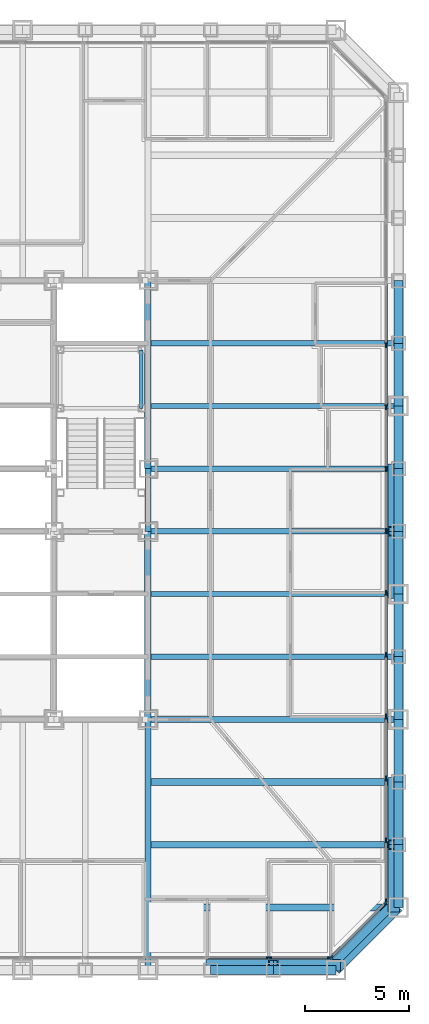
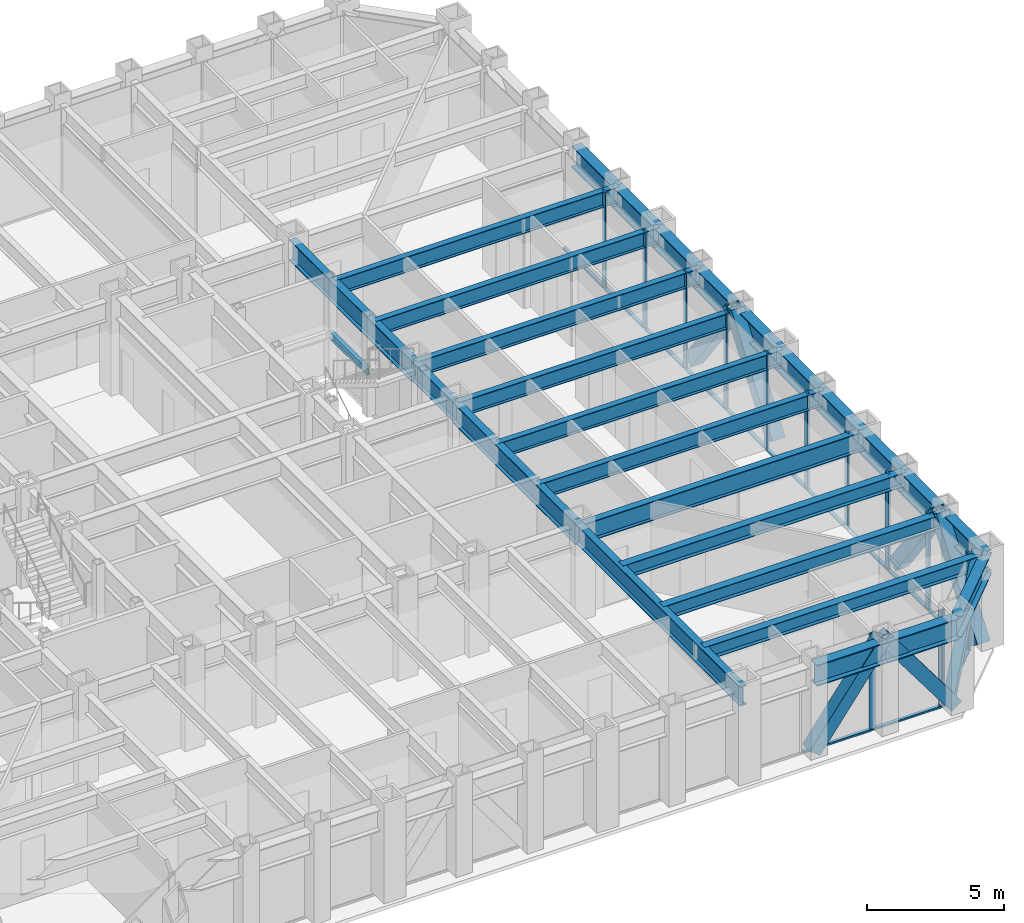
# One storey, part 4 of 16: 34 members, 28 beams, 3 elements without a shape of their own.
"""IFC4 building model written with IfcOpenShell, lengths in metres."""

import ifcopenshell
import ifcopenshell.guid

model = None  # the IFC model being written
_history = None  # IfcOwnerHistory: only IFC2X3 demands one
_inside = {}  # id of a spatial element -> (the spatial element, [elements in it])
_under = {}  # id of a project, library or spatial element -> (it, [spatial elements below it])
_declared = {}  # id of a project -> (the project, [libraries it declares])
_typed = {}  # id of a type object -> (the type object, [elements of that type])
_made_of = {}  # id of a material, layer set ... -> (it, [elements and type objects made of it])


def new_model(schema):
    """Start an empty IFC model of exactly this schema.

    Asked for "IFC4X3", IfcOpenShell would pick the latest addendum, in which some entities
    have other attributes; the version numbers below select the first issue.
    IFC2X3 requires an IfcOwnerHistory on every rooted entity: one is made here for all.
    """
    global model, _history
    if schema == "IFC4X3":
        model = ifcopenshell.file(schema_version=(4, 3, 0, 0))
    else:
        model = ifcopenshell.file(schema=schema)
    _inside.clear()
    _under.clear()
    _declared.clear()
    _typed.clear()
    _made_of.clear()
    _history = None
    if model.schema == "IFC2X3":
        org = make("IfcOrganization", Name="unknown")
        user = make(
            "IfcPersonAndOrganization",
            ThePerson=make("IfcPerson", FamilyName="unknown"),
            TheOrganization=org,
        )
        app = make(
            "IfcApplication",
            ApplicationDeveloper=org,
            Version="unknown",
            ApplicationFullName="unknown",
            ApplicationIdentifier="unknown",
        )
        _history = make(
            "IfcOwnerHistory",
            OwningUser=user,
            OwningApplication=app,
            ChangeAction="ADDED",
            CreationDate=0,
        )
    return model


def make(cls, **values):
    """One entity of the class cls with the attributes given. An attribute that is None is left unset."""
    return model.create_entity(
        cls, **{name: value for name, value in values.items() if value is not None}
    )


def rooted(cls, **values):
    """An entity with a GlobalId (a new one), such as an element, a storey or a relation."""
    return make(cls, GlobalId=ifcopenshell.guid.new(), OwnerHistory=_history, **values)


def si_unit(unit_type, name, prefix=None):
    """IfcSIUnit, for example si_unit("LENGTHUNIT", "METRE", prefix="MILLI")."""
    return make("IfcSIUnit", UnitType=unit_type, Prefix=prefix, Name=name)


def assignment(units):
    """IfcUnitAssignment: the units of a project."""
    return None if units is None else make("IfcUnitAssignment", Units=units)


def point(xyz):
    """IfcCartesianPoint."""
    return None if xyz is None else make("IfcCartesianPoint", Coordinates=xyz)


def direction(xyz):
    """IfcDirection."""
    return None if xyz is None else make("IfcDirection", DirectionRatios=xyz)


def frame(location, z_axis=None, x_axis=None):
    """IfcAxis2Placement3D, a coordinate frame: its origin and axes. An axis left out is left unset."""
    return make(
        "IfcAxis2Placement3D",
        Location=point(location),
        Axis=direction(z_axis),
        RefDirection=direction(x_axis),
    )


def frame_2d(location, x_axis=None):
    """IfcAxis2Placement2D, a coordinate frame in the plane: its origin and x axis."""
    return make(
        "IfcAxis2Placement2D", Location=point(location), RefDirection=direction(x_axis)
    )


def origin():
    """The frame at (0, 0, 0) with its axes left unset."""
    return frame((0.0, 0.0, 0.0))


def origin_2d():
    """The frame at (0, 0) in the plane with its x axis left unset."""
    return frame_2d((0.0, 0.0))


def place(relative_to, where):
    """IfcLocalPlacement: puts the frame where relative to a parent placement (None: the world)."""
    return make(
        "IfcLocalPlacement", PlacementRelTo=relative_to, RelativePlacement=where
    )


def context(
    kind, dimensions, precision=None, world=None, true_north=None, identifier=None
):
    """IfcGeometricRepresentationContext, for example the 3D "Model" context."""
    return make(
        "IfcGeometricRepresentationContext",
        ContextIdentifier=identifier,
        ContextType=kind,
        CoordinateSpaceDimension=dimensions,
        Precision=precision,
        WorldCoordinateSystem=world,
        TrueNorth=true_north,
    )


def subcontext(parent, identifier, kind, view, scale=None):
    """IfcGeometricRepresentationSubContext, for example "Body" below "Model"."""
    return make(
        "IfcGeometricRepresentationSubContext",
        ContextIdentifier=identifier,
        ContextType=kind,
        ParentContext=parent,
        TargetScale=scale,
        TargetView=view,
    )


def project(units=None, contexts=None):
    """IfcProject with its units and contexts."""
    return rooted(
        "IfcProject",
        Name="project",
        RepresentationContexts=contexts,
        UnitsInContext=assignment(units),
    )


def spatial(cls, under=None, at=None, **own):
    """A site, building, storey or space (cls), placed at a placement, below another one or the project."""
    s = rooted(cls, ObjectPlacement=at, **own)
    if under is not None:
        _under.setdefault(under.id(), (under, []))[1].append(s)
    return s


def profile(cls, at=None, kind="AREA", **sizes):
    """A parametric profile (cls). Its sizes go by their IFC names, for example OverallWidth=200.0."""
    return make(cls, ProfileType=kind, Position=at, **sizes)


def rectangle(**sizes):
    """IfcRectangleProfileDef."""
    return profile("IfcRectangleProfileDef", **sizes)


def hollow_rectangle(**sizes):
    """IfcRectangleHollowProfileDef."""
    return profile("IfcRectangleHollowProfileDef", **sizes)


def i_section(**sizes):
    """IfcIShapeProfileDef."""
    return profile("IfcIShapeProfileDef", **sizes)


def extrude(swept, where, along, depth):
    """IfcExtrudedAreaSolid: the profile swept, set in the frame where, extruded along a direction by depth."""
    return make(
        "IfcExtrudedAreaSolid",
        SweptArea=swept,
        Position=where,
        ExtrudedDirection=direction(along),
        Depth=depth,
    )


def shape(context_of_items, identifier, shape_type, items):
    """IfcShapeRepresentation: the items that make up one representation, for example the "Body"."""
    return make(
        "IfcShapeRepresentation",
        ContextOfItems=context_of_items,
        RepresentationIdentifier=identifier,
        RepresentationType=shape_type,
        Items=items,
    )


def material(Name=None, Category=None):
    """IfcMaterial."""
    return make("IfcMaterial", Name=Name, Category=Category)


def layer(
    of_material, thickness, ventilated=None, Name=None, Category=None, Priority=None
):
    """IfcMaterialLayer: one layer of a wall or slab, of a material (None: an air gap)."""
    return make(
        "IfcMaterialLayer",
        Material=of_material,
        LayerThickness=thickness,
        IsVentilated=ventilated,
        Name=Name,
        Category=Category,
        Priority=Priority,
    )


def layer_set(layers, Name=None):
    """IfcMaterialLayerSet."""
    return make("IfcMaterialLayerSet", MaterialLayers=layers, LayerSetName=Name)


def material_profile(
    of_material, cross_section, Name=None, Category=None, Priority=None
):
    """IfcMaterialProfile: a cross section and its material."""
    return make(
        "IfcMaterialProfile",
        Name=Name,
        Material=of_material,
        Profile=cross_section,
        Priority=Priority,
        Category=Category,
    )


def profile_set(profiles, Name=None, composite=None):
    """IfcMaterialProfileSet."""
    return make(
        "IfcMaterialProfileSet",
        Name=Name,
        MaterialProfiles=profiles,
        CompositeProfile=composite,
    )


def made_of(thing, what):
    """Note that an element or type object is made of a material, layer set ...; save() writes the relation."""
    if what is not None:
        _made_of.setdefault(what.id(), (what, []))[1].append(thing)
    return thing


def type_object(cls, material=None, **own):
    """A type object (cls), such as IfcWallType, which elements share."""
    return made_of(rooted(cls, **own), material)


def element(
    cls,
    number,
    at=None,
    inside=None,
    cuts=None,
    type_object=None,
    material=None,
    context=None,
    identifier="Body",
    shape_type=None,
    held_by="IfcProductDefinitionShape",
    body=None,
    shapes=None,
    **own,
):
    """One element of the class cls, such as IfcWall. Its Tag is "e" and its number.

    at: its placement. inside: the storey or other place that contains it. cuts: it is an
    opening in that element (IfcRelVoidsElement). A single representation is given by context,
    identifier, shape_type and body (its items); several are given by shapes. held_by: the class
    of the entity that holds the representations. save() writes the other relations.
    """
    e = rooted(cls, Tag="e%d" % number, ObjectPlacement=at, **own)
    if body is not None:
        shapes = [shape(context, identifier, shape_type, body)]
    if shapes is not None:
        e.Representation = make(held_by, Representations=shapes)
    if inside is not None:
        _inside.setdefault(inside.id(), (inside, []))[1].append(e)
    if cuts is not None:
        rooted(
            "IfcRelVoidsElement", RelatingBuildingElement=cuts, RelatedOpeningElement=e
        )
    if type_object is not None:
        _typed.setdefault(type_object.id(), (type_object, []))[1].append(e)
    return made_of(e, material)


def aggregate(whole, parts):
    """IfcRelAggregates: a whole, such as a stair, and the parts it consists of."""
    return rooted("IfcRelAggregates", RelatingObject=whole, RelatedObjects=parts)


def save(model, path):
    """Write the relations noted so far, then the file.

    IfcRelAggregates (storeys below a building ...), IfcRelContainedInSpatialStructure (elements
    in a storey), IfcRelDefinesByType, IfcRelAssociatesMaterial and IfcRelDeclares: one each for
    every whole, place, type object, material and project.
    """
    for whole, parts in _under.values():
        aggregate(whole, parts)
    for where, things in _inside.values():
        rooted(
            "IfcRelContainedInSpatialStructure",
            RelatedElements=things,
            RelatingStructure=where,
        )
    for kind, things in _typed.values():
        rooted("IfcRelDefinesByType", RelatedObjects=things, RelatingType=kind)
    for what, things in _made_of.values():
        rooted("IfcRelAssociatesMaterial", RelatedObjects=things, RelatingMaterial=what)
    for by, libraries in _declared.values():
        rooted("IfcRelDeclares", RelatingContext=by, RelatedDefinitions=libraries)
    model.write(path)


model = new_model("IFC4")

# Units and contexts
model_context = context("Model", 3, precision=1e-05, world=origin(), true_north=direction((0.0, 1.0)))
body_context = subcontext(model_context, "Body", "Model", "MODEL_VIEW")
ifc_project = project(units=[si_unit("LENGTHUNIT", "METRE"), si_unit("AREAUNIT", "SQUARE_METRE"), si_unit("VOLUMEUNIT", "CUBIC_METRE"), si_unit("PLANEANGLEUNIT", "RADIAN"), si_unit("MASSUNIT", "GRAM", prefix="KILO")], contexts=[model_context])

# Site, building, storey
site_placement = place(None, origin())
site = spatial("IfcSite", under=ifc_project, at=site_placement, CompositionType="ELEMENT")
building_placement = place(site_placement, origin())
building = spatial("IfcBuilding", under=site, at=building_placement, Name="Chuquiago Exchange Tower", CompositionType="ELEMENT")
storey_placement = place(building_placement, frame((0.0, 0.0, 28.800048828125)))
storey = spatial("IfcBuildingStorey", under=building, at=storey_placement, Name="L05", CompositionType="ELEMENT", Elevation=28.800048828125)

# Beams
ifc_material_1 = material(Name="Steel ASTM A992", Category="steel")
ifc_material_profile_1 = material_profile(ifc_material_1, i_section(OverallWidth=0.307373046875, OverallDepth=0.927001953125, WebThickness=0.01953125, FlangeThickness=0.031982421875, at=origin_2d()), Name="W36X194")
ifc_profile_set_1 = profile_set([ifc_material_profile_1], Name="Steel ASTM A992")
beam_type_1 = type_object("IfcBeamType", Name="B10 W36X194", PredefinedType="BEAM", material=ifc_profile_set_1)
for number, where, z_axis, x_axis, name in (
    (1, (33.0, 12.0, 3.576416015625), (0.0, 1.0, 0.0), (-1.0, 0.0, 0.0), "CB-L06-33_12-33_21"),
    (2, (33.0, 24.0, 3.576416015625), (0.0, 1.0, 0.0), (-1.0, 0.0, 0.0), "CB-L06-33_24-33_33"),
):
    element("IfcBeam", number, at=place(storey_placement, frame(where, z_axis=z_axis, x_axis=x_axis)), inside=storey, type_object=beam_type_1, Name=name, PredefinedType="BEAM", context=body_context, shape_type="SweptSolid", body=[
        extrude(i_section(OverallWidth=0.307373046875, OverallDepth=0.927001953125, WebThickness=0.01953125, FlangeThickness=0.031982421875, at=origin_2d()), origin(), (0.0, 0.0, 1.0), 9.0),
    ])
ifc_material_2 = material(Name="Steel ASTM A992", Category="steel")
ifc_material_profile_2 = material_profile(ifc_material_2, i_section(OverallWidth=0.2919921875, OverallDepth=0.8583984375, WebThickness=0.01708984375, FlangeThickness=0.031005859375, at=origin_2d()), Name="W33X169")
ifc_profile_set_2 = profile_set([ifc_material_profile_2], Name="Steel ASTM A992")
beam_type_2 = type_object("IfcBeamType", Name="B3 W33X169", PredefinedType="BEAM", material=ifc_profile_set_2)
beam_1_placement = place(storey_placement, frame((33.0, 21.0, 3.610595703125), z_axis=(0.0, 1.0, 0.0), x_axis=(-1.0, 0.0, 0.0)))
element("IfcBeam", 3, at=beam_1_placement, inside=storey, type_object=beam_type_2, Name="CB-L06-33_21-33_24", PredefinedType="BEAM", context=body_context, shape_type="SweptSolid", body=[
    extrude(i_section(OverallWidth=0.2919921875, OverallDepth=0.8583984375, WebThickness=0.01708984375, FlangeThickness=0.031005859375, at=origin_2d()), origin(), (0.0, 0.0, 1.0), 3.0),
])
ifc_material_3 = material(Name="Steel ASTM A992", Category="steel")
ifc_material_profile_3 = material_profile(ifc_material_3, i_section(OverallWidth=0.256591796875, OverallDepth=0.693359375, WebThickness=0.014404296875, FlangeThickness=0.023681640625, at=origin_2d()), Name="W27X114")
ifc_profile_set_3 = profile_set([ifc_material_profile_3], Name="Steel ASTM A992")
beam_type_3 = type_object("IfcBeamType", Name="B4 W27X114", PredefinedType="BEAM", material=ifc_profile_set_3)
for number, where, z_axis, x_axis, name in (
    (4, (33.0, 15.0, 3.693359375), (1.0, 0.0, 0.0), (0.0, 1.0, 0.0), "FB-L06-infill-33_15-45_15-0"),
    (5, (33.0, 18.0, 3.693359375), (1.0, 0.0, 0.0), (0.0, 1.0, 0.0), "FB-L06-infill-33_18-45_18-0"),
    (6, (33.0, 21.0, 3.693359375), (1.0, 0.0, 0.0), (0.0, 1.0, 0.0), "FB-L06-infill-33_21-45_21-0"),
    (7, (33.0, 24.0, 3.693359375), (1.0, 0.0, 0.0), (0.0, 1.0, 0.0), "FB-L06-infill-33_24-45_24-0"),
    (8, (33.0, 27.0, 3.693359375), (1.0, 0.0, 0.0), (0.0, 1.0, 0.0), "FB-L06-infill-33_27-45_27-0"),
    (9, (33.0, 30.0, 3.693359375), (1.0, 0.0, 0.0), (0.0, 1.0, 0.0), "FB-L06-infill-33_30-45_30-0"),
):
    element("IfcBeam", number, at=place(storey_placement, frame(where, z_axis=z_axis, x_axis=x_axis)), inside=storey, type_object=beam_type_3, Name=name, PredefinedType="BEAM", context=body_context, shape_type="SweptSolid", body=[
        extrude(i_section(OverallWidth=0.256591796875, OverallDepth=0.693359375, WebThickness=0.014404296875, FlangeThickness=0.023681640625, at=origin_2d()), origin(), (0.0, 0.0, 1.0), 12.0),
    ])
ifc_material_4 = material(Name="Steel ASTM A992", Category="steel")
ifc_material_profile_4 = material_profile(ifc_material_4, i_section(OverallWidth=0.3251953125, OverallDepth=0.6171875, WebThickness=0.013916015625, FlangeThickness=0.021484375, at=origin_2d()), Name="W24X117")
ifc_profile_set_4 = profile_set([ifc_material_profile_4], Name="Steel ASTM A992")
beam_type_4 = type_object("IfcBeamType", Name="B5 W24X117", PredefinedType="BEAM", material=ifc_profile_set_4)
for number, where, z_axis, x_axis, name in (
    (10, (33.0, 3.0, 3.7314453125), (1.0, 0.0, 0.0), (0.0, 1.0, 0.0), "FB-L06-corner-33_3-45_3-0"),
    (11, (33.0, 6.0, 3.7314453125), (1.0, 0.0, 0.0), (0.0, 1.0, 0.0), "FB-L06-corner-33_6-45_6-0"),
    (12, (33.0, 9.0, 3.7314453125), (1.0, 0.0, 0.0), (0.0, 1.0, 0.0), "FB-L06-corner-33_9-45_9-0"),
):
    element("IfcBeam", number, at=place(storey_placement, frame(where, z_axis=z_axis, x_axis=x_axis)), inside=storey, type_object=beam_type_4, Name=name, PredefinedType="BEAM", context=body_context, shape_type="SweptSolid", body=[
        extrude(i_section(OverallWidth=0.3251953125, OverallDepth=0.6171875, WebThickness=0.013916015625, FlangeThickness=0.021484375, at=origin_2d()), origin(), (0.0, 0.0, 1.0), 12.0),
    ])

# Curtain wall, members
ifc_material_5 = material(Name="Aluminium curtain wall system", Category="aluminium")
ifc_layer_1 = layer(ifc_material_5, 0.25)
ifc_layer_set_1 = layer_set([ifc_layer_1], Name="CW1 trading floor curtain wall")
curtain_wall_type_1 = type_object("IfcCurtainWallType", Name="CW1 trading floor curtain wall", PredefinedType="NOTDEFINED", material=ifc_layer_set_1)
curtain_wall_1_placement = place(storey_placement, origin())
curtain_wall_1 = element("IfcCurtainWall", 13, at=curtain_wall_1_placement, inside=storey, type_object=curtain_wall_type_1, Name="CW1 curtain wall L05", PredefinedType="NOTDEFINED")
ifc_material_6 = material(Name="Aluminium mullion, pale anodised", Category="aluminium")
ifc_material_profile_5 = material_profile(ifc_material_6, rectangle(XDim=0.074951171875, YDim=0.25, at=origin_2d()), Name="AL 75x250")
ifc_profile_set_5 = profile_set([ifc_material_profile_5], Name="Aluminium mullion, pale anodised")
member_type_1 = type_object("IfcMemberType", Name="CW1-M mullion 75x250", PredefinedType="MULLION", material=ifc_profile_set_5)
member_1_placement = place(storey_placement, frame((38.789794921875, 0.60009765625, -0.300048828125), z_axis=(0.0, 0.0, 1.0), x_axis=(0.0, 1.0, 0.0)))
member_1 = element("IfcMember", 14, at=member_1_placement, type_object=member_type_1, Name="CW1 mullion 13", PredefinedType="MULLION", context=body_context, shape_type="SweptSolid", body=[
    extrude(rectangle(XDim=0.074951171875, YDim=0.25, at=origin_2d()), origin(), (0.0, 0.0, 1.0), 4.340087890625),
])
member_2_placement = place(storey_placement, frame((41.714111328125, 0.60009765625, -0.300048828125), z_axis=(0.0, 0.0, 1.0), x_axis=(0.0, 1.0, 0.0)))
member_2 = element("IfcMember", 15, at=member_2_placement, type_object=member_type_1, Name="CW1 mullion 14", PredefinedType="MULLION", context=body_context, shape_type="SweptSolid", body=[
    extrude(rectangle(XDim=0.074951171875, YDim=0.25, at=origin_2d()), origin(), (0.0, 0.0, 1.0), 4.340087890625),
])

curtain_wall_2_placement = place(storey_placement, origin())
curtain_wall_2 = element("IfcCurtainWall", 16, at=curtain_wall_2_placement, inside=storey, type_object=curtain_wall_type_1, Name="CW1 curtain wall L05", PredefinedType="NOTDEFINED")
member_3_placement = place(storey_placement, frame((44.39990234375, 3.285888671875, -0.300048828125), z_axis=(0.0, 0.0, 1.0), x_axis=(-1.0, 0.0, 0.0)))
member_3 = element("IfcMember", 17, at=member_3_placement, type_object=member_type_1, Name="CW1 mullion 1", PredefinedType="MULLION", context=body_context, shape_type="SweptSolid", body=[
    extrude(rectangle(XDim=0.074951171875, YDim=0.25, at=origin_2d()), origin(), (0.0, 0.0, 1.0), 4.340087890625),
])
member_4_placement = place(storey_placement, frame((44.39990234375, 6.210205078125, -0.300048828125), z_axis=(0.0, 0.0, 1.0), x_axis=(-1.0, 0.0, 0.0)))
member_4 = element("IfcMember", 18, at=member_4_placement, type_object=member_type_1, Name="CW1 mullion 2", PredefinedType="MULLION", context=body_context, shape_type="SweptSolid", body=[
    extrude(rectangle(XDim=0.074951171875, YDim=0.25, at=origin_2d()), origin(), (0.0, 0.0, 1.0), 4.340087890625),
])
member_5_placement = place(storey_placement, frame((44.39990234375, 9.172119140625, -0.300048828125), z_axis=(0.0, 0.0, 1.0), x_axis=(-1.0, 0.0, 0.0)))
member_5 = element("IfcMember", 19, at=member_5_placement, type_object=member_type_1, Name="CW1 mullion 3", PredefinedType="MULLION", context=body_context, shape_type="SweptSolid", body=[
    extrude(rectangle(XDim=0.074951171875, YDim=0.25, at=origin_2d()), origin(), (0.0, 0.0, 1.0), 4.340087890625),
])
member_6_placement = place(storey_placement, frame((44.39990234375, 12.1337890625, -0.300048828125), z_axis=(0.0, 0.0, 1.0), x_axis=(-1.0, 0.0, 0.0)))
member_6 = element("IfcMember", 20, at=member_6_placement, type_object=member_type_1, Name="CW1 mullion 4", PredefinedType="MULLION", context=body_context, shape_type="SweptSolid", body=[
    extrude(rectangle(XDim=0.074951171875, YDim=0.25, at=origin_2d()), origin(), (0.0, 0.0, 1.0), 4.340087890625),
])
member_7_placement = place(storey_placement, frame((44.39990234375, 15.095458984375, -0.300048828125), z_axis=(0.0, 0.0, 1.0), x_axis=(-1.0, 0.0, 0.0)))
member_7 = element("IfcMember", 21, at=member_7_placement, type_object=member_type_1, Name="CW1 mullion 5", PredefinedType="MULLION", context=body_context, shape_type="SweptSolid", body=[
    extrude(rectangle(XDim=0.074951171875, YDim=0.25, at=origin_2d()), origin(), (0.0, 0.0, 1.0), 4.340087890625),
])
member_8_placement = place(storey_placement, frame((44.39990234375, 18.057373046875, -0.300048828125), z_axis=(0.0, 0.0, 1.0), x_axis=(-1.0, 0.0, 0.0)))
member_8 = element("IfcMember", 22, at=member_8_placement, type_object=member_type_1, Name="CW1 mullion 6", PredefinedType="MULLION", context=body_context, shape_type="SweptSolid", body=[
    extrude(rectangle(XDim=0.074951171875, YDim=0.25, at=origin_2d()), origin(), (0.0, 0.0, 1.0), 4.340087890625),
])
member_9_placement = place(storey_placement, frame((44.39990234375, 21.01904296875, -0.300048828125), z_axis=(0.0, 0.0, 1.0), x_axis=(-1.0, 0.0, 0.0)))
member_9 = element("IfcMember", 23, at=member_9_placement, type_object=member_type_1, Name="CW1 mullion 7", PredefinedType="MULLION", context=body_context, shape_type="SweptSolid", body=[
    extrude(rectangle(XDim=0.074951171875, YDim=0.25, at=origin_2d()), origin(), (0.0, 0.0, 1.0), 4.340087890625),
])
member_10_placement = place(storey_placement, frame((44.39990234375, 23.98095703125, -0.300048828125), z_axis=(0.0, 0.0, 1.0), x_axis=(-1.0, 0.0, 0.0)))
member_10 = element("IfcMember", 24, at=member_10_placement, type_object=member_type_1, Name="CW1 mullion 8", PredefinedType="MULLION", context=body_context, shape_type="SweptSolid", body=[
    extrude(rectangle(XDim=0.074951171875, YDim=0.25, at=origin_2d()), origin(), (0.0, 0.0, 1.0), 4.340087890625),
])
member_11_placement = place(storey_placement, frame((44.39990234375, 26.942626953125, -0.300048828125), z_axis=(0.0, 0.0, 1.0), x_axis=(-1.0, 0.0, 0.0)))
member_11 = element("IfcMember", 25, at=member_11_placement, type_object=member_type_1, Name="CW1 mullion 9", PredefinedType="MULLION", context=body_context, shape_type="SweptSolid", body=[
    extrude(rectangle(XDim=0.074951171875, YDim=0.25, at=origin_2d()), origin(), (0.0, 0.0, 1.0), 4.340087890625),
])
member_12_placement = place(storey_placement, frame((44.39990234375, 29.904541015625, -0.300048828125), z_axis=(0.0, 0.0, 1.0), x_axis=(-1.0, 0.0, 0.0)))
member_12 = element("IfcMember", 26, at=member_12_placement, type_object=member_type_1, Name="CW1 mullion 10", PredefinedType="MULLION", context=body_context, shape_type="SweptSolid", body=[
    extrude(rectangle(XDim=0.074951171875, YDim=0.25, at=origin_2d()), origin(), (0.0, 0.0, 1.0), 4.340087890625),
])

# Member
ifc_material_7 = material(Name="Aluminium transom, pale anodised", Category="aluminium")
ifc_material_profile_6 = material_profile(ifc_material_7, rectangle(XDim=0.14990234375, YDim=0.074951171875, at=origin_2d()), Name="AL 150x75")
ifc_profile_set_6 = profile_set([ifc_material_profile_6], Name="Aluminium transom, pale anodised")
member_type_2 = type_object("IfcMemberType", Name="CW1-T transom 75x150", PredefinedType="MULLION", material=ifc_profile_set_6)
member_13_placement = place(storey_placement, frame((35.865478515625, 0.60009765625, -0.262451171875), z_axis=(1.0, 0.0, 0.0), x_axis=(0.0, 1.0, 0.0)))
member_13 = element("IfcMember", 27, at=member_13_placement, type_object=member_type_2, Name="CW1 transom 12.1", PredefinedType="MULLION", context=body_context, shape_type="SweptSolid", body=[
    extrude(rectangle(XDim=0.14990234375, YDim=0.074951171875, at=origin_2d()), origin(), (0.0, 0.0, 1.0), 2.88671875),
])

member_14_placement = place(storey_placement, frame((38.8271484375, 0.60009765625, -0.262451171875), z_axis=(1.0, 0.0, 0.0), x_axis=(0.0, 1.0, 0.0)))
member_14 = element("IfcMember", 28, at=member_14_placement, type_object=member_type_2, Name="CW1 transom 13.1", PredefinedType="MULLION", context=body_context, shape_type="SweptSolid", body=[
    extrude(rectangle(XDim=0.14990234375, YDim=0.074951171875, at=origin_2d()), origin(), (0.0, 0.0, 1.0), 2.849365234375),
])

aggregate(curtain_wall_1, [member_1, member_2, member_13, member_14])

member_15_placement = place(storey_placement, frame((44.39990234375, 3.323486328125, -0.262451171875), z_axis=(0.0, 1.0, 0.0), x_axis=(-1.0, 0.0, 0.0)))
member_15 = element("IfcMember", 29, at=member_15_placement, type_object=member_type_2, Name="CW1 transom 1.1", PredefinedType="MULLION", context=body_context, shape_type="SweptSolid", body=[
    extrude(rectangle(XDim=0.14990234375, YDim=0.074951171875, at=origin_2d()), origin(), (0.0, 0.0, 1.0), 2.849365234375),
])

member_16_placement = place(storey_placement, frame((44.39990234375, 6.247802734375, -0.262451171875), z_axis=(0.0, 1.0, 0.0), x_axis=(-1.0, 0.0, 0.0)))
member_16 = element("IfcMember", 30, at=member_16_placement, type_object=member_type_2, Name="CW1 transom 2.1", PredefinedType="MULLION", context=body_context, shape_type="SweptSolid", body=[
    extrude(rectangle(XDim=0.14990234375, YDim=0.074951171875, at=origin_2d()), origin(), (0.0, 0.0, 1.0), 2.88671875),
])

member_17_placement = place(storey_placement, frame((44.39990234375, 9.20947265625, -0.262451171875), z_axis=(0.0, 1.0, 0.0), x_axis=(-1.0, 0.0, 0.0)))
member_17 = element("IfcMember", 31, at=member_17_placement, type_object=member_type_2, Name="CW1 transom 3.1", PredefinedType="MULLION", context=body_context, shape_type="SweptSolid", body=[
    extrude(rectangle(XDim=0.14990234375, YDim=0.074951171875, at=origin_2d()), origin(), (0.0, 0.0, 1.0), 2.88671875),
])

member_18_placement = place(storey_placement, frame((44.39990234375, 12.17138671875, -0.262451171875), z_axis=(0.0, 1.0, 0.0), x_axis=(-1.0, 0.0, 0.0)))
member_18 = element("IfcMember", 32, at=member_18_placement, type_object=member_type_2, Name="CW1 transom 4.1", PredefinedType="MULLION", context=body_context, shape_type="SweptSolid", body=[
    extrude(rectangle(XDim=0.14990234375, YDim=0.074951171875, at=origin_2d()), origin(), (0.0, 0.0, 1.0), 2.88671875),
])

member_19_placement = place(storey_placement, frame((44.39990234375, 15.133056640625, -0.262451171875), z_axis=(0.0, 1.0, 0.0), x_axis=(-1.0, 0.0, 0.0)))
member_19 = element("IfcMember", 33, at=member_19_placement, type_object=member_type_2, Name="CW1 transom 5.1", PredefinedType="MULLION", context=body_context, shape_type="SweptSolid", body=[
    extrude(rectangle(XDim=0.14990234375, YDim=0.074951171875, at=origin_2d()), origin(), (0.0, 0.0, 1.0), 2.88671875),
])

member_20_placement = place(storey_placement, frame((44.39990234375, 18.0947265625, -0.262451171875), z_axis=(0.0, 1.0, 0.0), x_axis=(-1.0, 0.0, 0.0)))
member_20 = element("IfcMember", 34, at=member_20_placement, type_object=member_type_2, Name="CW1 transom 6.1", PredefinedType="MULLION", context=body_context, shape_type="SweptSolid", body=[
    extrude(rectangle(XDim=0.14990234375, YDim=0.074951171875, at=origin_2d()), origin(), (0.0, 0.0, 1.0), 2.886962890625),
])

member_21_placement = place(storey_placement, frame((44.39990234375, 21.056640625, -0.262451171875), z_axis=(0.0, 1.0, 0.0), x_axis=(-1.0, 0.0, 0.0)))
member_21 = element("IfcMember", 35, at=member_21_placement, type_object=member_type_2, Name="CW1 transom 7.1", PredefinedType="MULLION", context=body_context, shape_type="SweptSolid", body=[
    extrude(rectangle(XDim=0.14990234375, YDim=0.074951171875, at=origin_2d()), origin(), (0.0, 0.0, 1.0), 2.88671875),
])

member_22_placement = place(storey_placement, frame((44.39990234375, 24.018310546875, -0.262451171875), z_axis=(0.0, 1.0, 0.0), x_axis=(-1.0, 0.0, 0.0)))
member_22 = element("IfcMember", 36, at=member_22_placement, type_object=member_type_2, Name="CW1 transom 8.1", PredefinedType="MULLION", context=body_context, shape_type="SweptSolid", body=[
    extrude(rectangle(XDim=0.14990234375, YDim=0.074951171875, at=origin_2d()), origin(), (0.0, 0.0, 1.0), 2.886962890625),
])

member_23_placement = place(storey_placement, frame((44.39990234375, 26.980224609375, -0.262451171875), z_axis=(0.0, 1.0, 0.0), x_axis=(-1.0, 0.0, 0.0)))
member_23 = element("IfcMember", 37, at=member_23_placement, type_object=member_type_2, Name="CW1 transom 9.1", PredefinedType="MULLION", context=body_context, shape_type="SweptSolid", body=[
    extrude(rectangle(XDim=0.14990234375, YDim=0.074951171875, at=origin_2d()), origin(), (0.0, 0.0, 1.0), 2.88671875),
])

member_24_placement = place(storey_placement, frame((44.39990234375, 29.94189453125, -0.262451171875), z_axis=(0.0, 1.0, 0.0), x_axis=(-1.0, 0.0, 0.0)))
member_24 = element("IfcMember", 38, at=member_24_placement, type_object=member_type_2, Name="CW1 transom 10.1", PredefinedType="MULLION", context=body_context, shape_type="SweptSolid", body=[
    extrude(rectangle(XDim=0.14990234375, YDim=0.074951171875, at=origin_2d()), origin(), (0.0, 0.0, 1.0), 2.88671875),
])

aggregate(curtain_wall_2, [member_3, member_4, member_5, member_6, member_7, member_8, member_9, member_10, member_11, member_12, member_15, member_16, member_17, member_18, member_19, member_20, member_21, member_22, member_23, member_24])

# Curtain wall, members
ifc_material_8 = material(Name="Aluminium curtain wall system", Category="aluminium")
ifc_layer_2 = layer(ifc_material_8, 0.199951171875)
ifc_layer_set_2 = layer_set([ifc_layer_2], Name="CW3 facet curtain wall")
curtain_wall_type_2 = type_object("IfcCurtainWallType", Name="CW3 facet curtain wall", PredefinedType="NOTDEFINED", material=ifc_layer_set_2)
curtain_wall_3_placement = place(storey_placement, origin())
curtain_wall_3 = element("IfcCurtainWall", 39, at=curtain_wall_3_placement, inside=storey, type_object=curtain_wall_type_2, Name="CW3 curtain wall L05", PredefinedType="NOTDEFINED")
ifc_material_9 = material(Name="Aluminium mullion, pale anodised", Category="aluminium")
ifc_material_profile_7 = material_profile(ifc_material_9, rectangle(XDim=0.06494140625, YDim=0.199951171875, at=origin_2d()), Name="AL 65x200")
ifc_profile_set_7 = profile_set([ifc_material_profile_7], Name="Aluminium mullion, pale anodised")
member_type_3 = type_object("IfcMemberType", Name="CW3-M mullion 65x200", PredefinedType="MULLION", material=ifc_profile_set_7)
member_25_placement = place(storey_placement, frame((41.7744140625, 0.623046875, -0.300048828125), z_axis=(0.0, 0.0, 1.0), x_axis=(-0.707106781187, 0.707106781187, 0.0)))
member_25 = element("IfcMember", 40, at=member_25_placement, type_object=member_type_3, Name="CW3 mullion 1", PredefinedType="MULLION", context=body_context, shape_type="SweptSolid", body=[
    extrude(rectangle(XDim=0.06494140625, YDim=0.199951171875, at=origin_2d()), origin(), (0.0, 0.0, 1.0), 4.340087890625),
])
member_26_placement = place(storey_placement, frame((44.376953125, 3.2255859375, -0.300048828125), z_axis=(0.0, 0.0, 1.0), x_axis=(-0.707106781187, 0.707106781187, 0.0)))
member_26 = element("IfcMember", 41, at=member_26_placement, type_object=member_type_3, Name="CW3 mullion 2", PredefinedType="MULLION", context=body_context, shape_type="SweptSolid", body=[
    extrude(rectangle(XDim=0.06494140625, YDim=0.199951171875, at=origin_2d()), origin(), (0.0, 0.0, 1.0), 4.340087890625),
])
ifc_material_10 = material(Name="Aluminium transom, pale anodised", Category="aluminium")
ifc_material_profile_8 = material_profile(ifc_material_10, rectangle(XDim=0.139892578125, YDim=0.06494140625, at=origin_2d()), Name="AL 140x65")
ifc_profile_set_8 = profile_set([ifc_material_profile_8], Name="Aluminium transom, pale anodised")
member_type_4 = type_object("IfcMemberType", Name="CW3-T transom 65x140", PredefinedType="MULLION", material=ifc_profile_set_8)
member_27_placement = place(storey_placement, frame((41.79736328125, 0.64599609375, -0.267578125), z_axis=(0.707106781187, 0.707106781187, 0.0), x_axis=(-0.707106781187, 0.707106781187, 0.0)))
member_27 = element("IfcMember", 42, at=member_27_placement, type_object=member_type_4, Name="CW3 transom 1.1", PredefinedType="MULLION", context=body_context, shape_type="SweptSolid", body=[
    extrude(rectangle(XDim=0.139892578125, YDim=0.06494140625, at=origin_2d()), origin(), (0.0, 0.0, 1.0), 3.61572265625),
])
aggregate(curtain_wall_3, [member_25, member_26, member_27])

# Beams
ifc_material_11 = material(Name="Steel ASTM A992", Category="steel")
ifc_material_profile_9 = material_profile(ifc_material_11, i_section(OverallWidth=0.2919921875, OverallDepth=0.8583984375, WebThickness=0.01708984375, FlangeThickness=0.031005859375, at=origin_2d()), Name="W33X169")
ifc_profile_set_9 = profile_set([ifc_material_profile_9], Name="Steel ASTM A992")
beam_type_5 = type_object("IfcBeamType", Name="G2 W33X169", PredefinedType="BEAM", material=ifc_profile_set_9)
for number, where, z_axis, x_axis, name in (
    (43, (33.0, 12.0, 3.610595703125), (0.0, -1.0, 0.0), (1.0, 0.0, 0.0), "FB-L06-girder-33_12-33_-0-0"),
    (44, (33.0, 12.0, 3.610595703125), (1.0, 0.0, 0.0), (0.0, 1.0, 0.0), "FB-L06-girder-33_12-45_12-0"),
):
    element("IfcBeam", number, at=place(storey_placement, frame(where, z_axis=z_axis, x_axis=x_axis)), inside=storey, type_object=beam_type_5, Name=name, PredefinedType="BEAM", context=body_context, shape_type="SweptSolid", body=[
        extrude(i_section(OverallWidth=0.2919921875, OverallDepth=0.8583984375, WebThickness=0.01708984375, FlangeThickness=0.031005859375, at=origin_2d()), origin(), (0.0, 0.0, 1.0), 12.0),
    ])

# Member
ifc_material_12 = material(Name="Steel ASTM A500 Grade C", Category="steel")
ifc_material_profile_10 = material_profile(ifc_material_12, hollow_rectangle(XDim=0.406494140625, YDim=0.406494140625, WallThickness=0.0146484375, at=origin_2d()), Name="HSS16X16X5/8")
ifc_profile_set_10 = profile_set([ifc_material_profile_10], Name="Steel ASTM A500 Grade C")
member_type_5 = type_object("IfcMemberType", Name="LB4 HSS16X16X5/8", PredefinedType="BRACE", material=ifc_profile_set_10)
member_28_placement = place(storey_placement, frame((41.78662109375, 0.21337890625, 0.0), z_axis=(0.512077265487, 0.512077265487, 0.689604051861), x_axis=(-0.707106781187, 0.707106781187, 0.0)))
element("IfcMember", 45, at=member_28_placement, inside=storey, type_object=member_type_5, Name="LB-L05-42_0-45_3", PredefinedType="BRACE", context=body_context, shape_type="SweptSolid", body=[
    extrude(hollow_rectangle(XDim=0.406494140625, YDim=0.406494140625, WallThickness=0.0146484375, at=origin_2d()), origin(), (0.0, 0.0, 1.0), 5.8583984375),
])

# Beam
ifc_material_13 = material(Name="Steel ASTM A992", Category="steel")
ifc_material_profile_11 = material_profile(ifc_material_13, i_section(OverallWidth=0.164794921875, OverallDepth=0.309814453125, WebThickness=0.005859375, FlangeThickness=0.009765625, at=origin_2d()), Name="W12X26")
ifc_profile_set_11 = profile_set([ifc_material_profile_11], Name="Steel ASTM A992")
beam_type_6 = type_object("IfcBeamType", Name="LS1 W12X26", PredefinedType="BEAM", material=ifc_profile_set_11)
beam_2_placement = place(storey_placement, frame((32.68994140625, 26.889892578125, 1.89501953125), z_axis=(0.0, 1.0, 0.0), x_axis=(-1.0, 0.0, 0.0)))
element("IfcBeam", 46, at=beam_2_placement, inside=storey, type_object=beam_type_6, Name="Stair ST2 L05 landing 1 stringer", PredefinedType="BEAM", context=body_context, shape_type="SweptSolid", body=[
    extrude(i_section(OverallWidth=0.164794921875, OverallDepth=0.309814453125, WebThickness=0.005859375, FlangeThickness=0.009765625, at=origin_2d()), origin(), (0.0, 0.0, 1.0), 2.800048828125),
])

# Members
ifc_material_14 = material(Name="Steel ASTM A572 Grade 50", Category="steel")
ifc_material_profile_12 = material_profile(ifc_material_14, hollow_rectangle(XDim=0.550048828125, YDim=0.550048828125, WallThickness=0.044921875, at=origin_2d()), Name="BOX550X550X45")
ifc_profile_set_12 = profile_set([ifc_material_profile_12], Name="Steel ASTM A572 Grade 50")
member_type_6 = type_object("IfcMemberType", Name="MB1 BOX550X550X45", PredefinedType="BRACE", material=ifc_profile_set_12)
for number, where, z_axis, x_axis, name in (
    (47, (36.0, 0.22998046875, 0.0), (0.596173923302, 0.0, 0.802855312728), (0.0, 1.0, 0.0), "Mega diagonal L05 S face"),
    (48, (42.0, 0.22998046875, 0.0), (-0.596173923302, 0.0, 0.802855312728), (0.0, -1.0, 0.0), "Mega diagonal L05 S face"),
    (49, (44.77001953125, 3.0, 0.0), (0.0, 0.596173923302, 0.802855312728), (-1.0, 0.0, 0.0), "Mega diagonal L05 E face"),
    (50, (44.77001953125, 9.0, 0.0), (0.0, -0.596173923302, 0.802855312728), (1.0, 0.0, 0.0), "Mega diagonal L05 E face"),
    (51, (44.77001953125, 18.0, 0.0), (0.0, 0.596173923302, 0.802855312728), (-1.0, 0.0, 0.0), "Mega diagonal L05 E face"),
    (52, (44.77001953125, 24.0, 0.0), (0.0, -0.596173923302, 0.802855312728), (1.0, 0.0, 0.0), "Mega diagonal L05 E face"),
):
    element("IfcMember", number, at=place(storey_placement, frame(where, z_axis=z_axis, x_axis=x_axis)), inside=storey, type_object=member_type_6, Name=name, PredefinedType="BRACE", context=body_context, shape_type="SweptSolid", body=[
        extrude(hollow_rectangle(XDim=0.550048828125, YDim=0.550048828125, WallThickness=0.044921875, at=origin_2d()), origin(), (0.0, 0.0, 1.0), 5.031982421875),
    ])

# Beams
ifc_material_15 = material(Name="Steel ASTM A992", Category="steel")
ifc_material_profile_13 = material_profile(ifc_material_15, i_section(OverallWidth=0.424072265625, OverallDepth=0.947509765625, WebThickness=0.02392578125, FlangeThickness=0.042724609375, at=origin_2d()), Name="W36X302")
ifc_profile_set_13 = profile_set([ifc_material_profile_13], Name="Steel ASTM A992")
beam_type_7 = type_object("IfcBeamType", Name="SP1 W36X302", PredefinedType="SPANDREL", material=ifc_profile_set_13)
for number, where, z_axis, x_axis, name in (
    (53, (36.0, 0.0, 3.566162109375), (1.0, 0.0, 0.0), (0.0, 1.0, 0.0), "SPB-L06-36_0-39_0"),
    (54, (39.0, 0.0, 3.566162109375), (1.0, 0.0, 0.0), (0.0, 1.0, 0.0), "SPB-L06-39_0-42_0"),
):
    element("IfcBeam", number, at=place(storey_placement, frame(where, z_axis=z_axis, x_axis=x_axis)), inside=storey, type_object=beam_type_7, Name=name, PredefinedType="SPANDREL", context=body_context, shape_type="SweptSolid", body=[
        extrude(i_section(OverallWidth=0.424072265625, OverallDepth=0.947509765625, WebThickness=0.02392578125, FlangeThickness=0.042724609375, at=origin_2d()), origin(), (0.0, 0.0, 1.0), 3.0),
    ])
beam_3_placement = place(storey_placement, frame((42.0, 0.0, 3.566162109375), z_axis=(0.707106781187, 0.707106781187, 0.0), x_axis=(-0.707106781187, 0.707106781187, 0.0)))
element("IfcBeam", 55, at=beam_3_placement, inside=storey, type_object=beam_type_7, Name="SPB-L06-42_0-45_3", PredefinedType="SPANDREL", context=body_context, shape_type="SweptSolid", body=[
    extrude(i_section(OverallWidth=0.424072265625, OverallDepth=0.947509765625, WebThickness=0.02392578125, FlangeThickness=0.042724609375, at=origin_2d()), origin(), (0.0, 0.0, 1.0), 4.24267578125),
])
for number, where, z_axis, x_axis, name in (
    (56, (45.0, 3.0, 3.566162109375), (0.0, 1.0, 0.0), (-1.0, 0.0, 0.0), "SPB-L06-45_3-45_6"),
    (57, (45.0, 6.0, 3.566162109375), (0.0, 1.0, 0.0), (-1.0, 0.0, 0.0), "SPB-L06-45_6-45_9"),
    (58, (45.0, 9.0, 3.566162109375), (0.0, 1.0, 0.0), (-1.0, 0.0, 0.0), "SPB-L06-45_9-45_12"),
    (59, (45.0, 12.0, 3.566162109375), (0.0, 1.0, 0.0), (-1.0, 0.0, 0.0), "SPB-L06-45_12-45_15"),
    (60, (45.0, 15.0, 3.566162109375), (0.0, 1.0, 0.0), (-1.0, 0.0, 0.0), "SPB-L06-45_15-45_18"),
    (61, (45.0, 18.0, 3.566162109375), (0.0, 1.0, 0.0), (-1.0, 0.0, 0.0), "SPB-L06-45_18-45_21"),
    (62, (45.0, 21.0, 3.566162109375), (0.0, 1.0, 0.0), (-1.0, 0.0, 0.0), "SPB-L06-45_21-45_24"),
    (63, (45.0, 24.0, 3.566162109375), (0.0, 1.0, 0.0), (-1.0, 0.0, 0.0), "SPB-L06-45_24-45_27"),
    (64, (45.0, 27.0, 3.566162109375), (0.0, 1.0, 0.0), (-1.0, 0.0, 0.0), "SPB-L06-45_27-45_30"),
    (65, (45.0, 30.0, 3.566162109375), (0.0, 1.0, 0.0), (-1.0, 0.0, 0.0), "SPB-L06-45_30-45_33"),
):
    element("IfcBeam", number, at=place(storey_placement, frame(where, z_axis=z_axis, x_axis=x_axis)), inside=storey, type_object=beam_type_7, Name=name, PredefinedType="SPANDREL", context=body_context, shape_type="SweptSolid", body=[
        extrude(i_section(OverallWidth=0.424072265625, OverallDepth=0.947509765625, WebThickness=0.02392578125, FlangeThickness=0.042724609375, at=origin_2d()), origin(), (0.0, 0.0, 1.0), 3.0),
    ])

save(model, "model.ifc")
